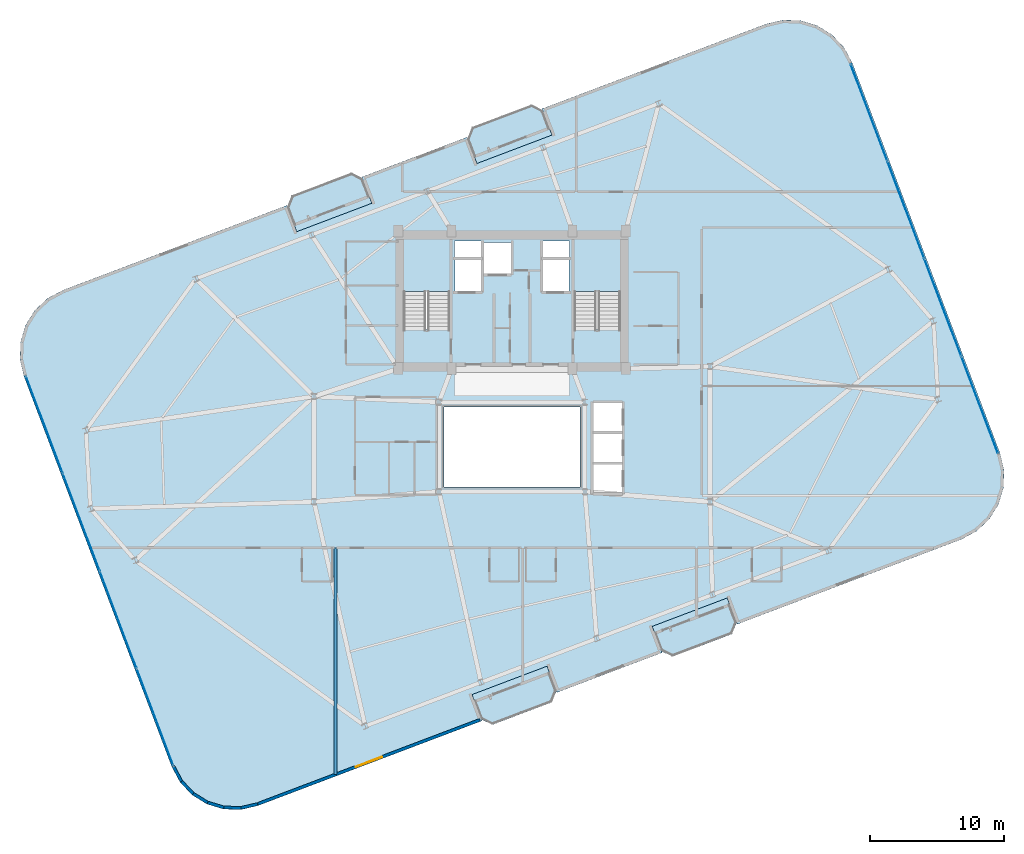
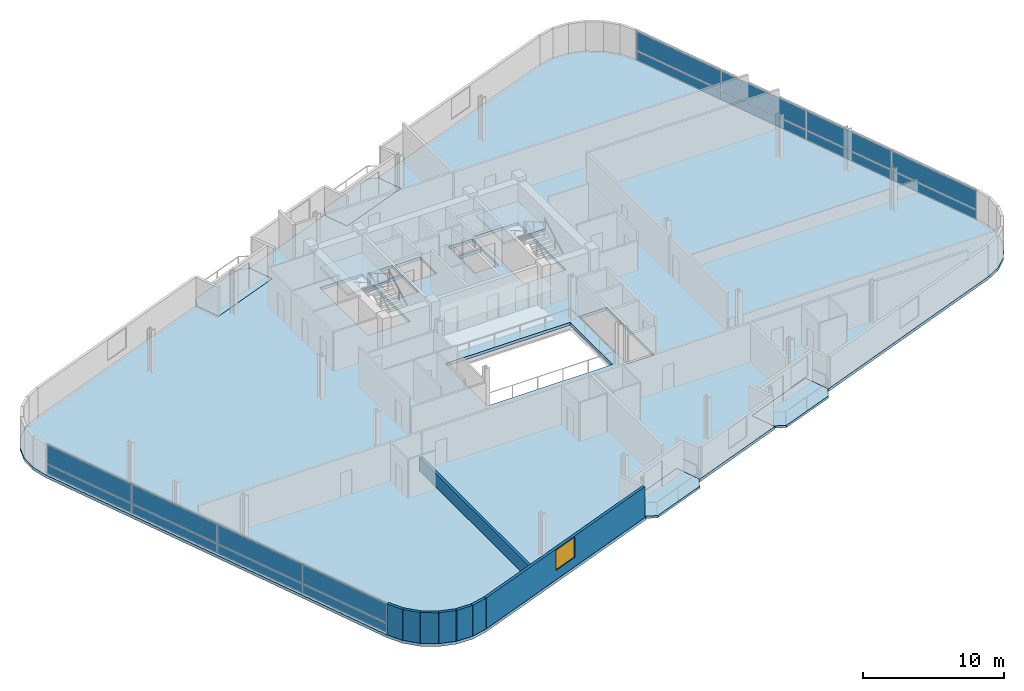
# One storey, part 13 of 19: 16 plates, 8 walls, 7 slabs, 1 window, 1 opening, 4 elements without a shape of their own.
"""IFC4 building model written with IfcOpenShell, lengths in metres."""

from ifc_helpers import new_model, si_unit, direction, frame, frame_2d, origin, origin_2d, place, context, subcontext, project, spatial, polyline, rectangle, outline, extrude, source, transform, mapped, material, layer, layer_set, type_object, element, fill, aggregate, save


model = new_model("IFC4")

# Units and contexts
model_context = context("Model", 3, precision=1e-05, world=origin(), true_north=direction((0.0, 1.0)))
body_context = subcontext(model_context, "Body", "Model", "MODEL_VIEW")
ifc_project = project(units=[si_unit("LENGTHUNIT", "METRE"), si_unit("AREAUNIT", "SQUARE_METRE"), si_unit("VOLUMEUNIT", "CUBIC_METRE"), si_unit("PLANEANGLEUNIT", "RADIAN"), si_unit("MASSUNIT", "GRAM", prefix="KILO")], contexts=[model_context])

# Site, building, storey
site_placement = place(None, origin())
site = spatial("IfcSite", under=ifc_project, at=site_placement, CompositionType="ELEMENT")
building_placement = place(site_placement, origin())
building = spatial("IfcBuilding", under=site, at=building_placement, Name="Varnelok Gate Tower", CompositionType="ELEMENT")
storey_placement = place(building_placement, frame((0.0, 0.0, 249.699951171875)))
storey = spatial("IfcBuildingStorey", under=building, at=storey_placement, Name="L64", CompositionType="ELEMENT", Elevation=249.699951171875)

# Slabs
ifc_material_1 = material(Name="Concrete C45/55", Category="concrete")
ifc_layer_1 = layer(ifc_material_1, 0.199951171875)
ifc_layer_set_1 = layer_set([ifc_layer_1], Name="Concrete C45/55")
slab_type_1 = type_object("IfcSlabType", Name="SLB-BALC-200", PredefinedType="FLOOR", material=ifc_layer_set_1)
slab_1_placement = place(storey_placement, frame((0.0, 0.0, -0.199951171875)))
element("IfcSlab", 1, at=slab_1_placement, inside=storey, type_object=slab_type_1, Name="L64 South Hollow Balcony 1", PredefinedType="FLOOR", context=body_context, shape_type="SweptSolid", body=[
    extrude(outline(polyline([(36.9189453125, 2.5166015625), (37.757080078125, 2.138916015625), (42.152587890625, 3.802978515625), (42.530517578125, 4.640869140625), (41.822265625, 6.51123046875), (36.2109375, 4.386962890625), (36.9189453125, 2.5166015625)])), origin(), (0.0, 0.0, 1.0), 0.199951171875),
])
slab_2_placement = place(storey_placement, frame((0.0, 0.0, -0.199951171875)))
element("IfcSlab", 2, at=slab_2_placement, inside=storey, type_object=slab_type_1, Name="L64 South Hollow Balcony 2", PredefinedType="FLOOR", context=body_context, shape_type="SweptSolid", body=[
    extrude(outline(polyline([(50.38623046875, 7.614990234375), (51.22412109375, 7.2373046875), (55.619873046875, 8.9013671875), (55.99755859375, 9.739501953125), (55.289306640625, 11.60986328125), (49.677978515625, 9.485595703125), (50.38623046875, 7.614990234375)])), origin(), (0.0, 0.0, 1.0), 0.199951171875),
])
slab_3_placement = place(storey_placement, frame((0.0, 0.0, -0.199951171875)))
element("IfcSlab", 3, at=slab_3_placement, inside=storey, type_object=slab_type_1, Name="L64 North Hollow Balcony 1", PredefinedType="FLOOR", context=body_context, shape_type="SweptSolid", body=[
    extrude(outline(polyline([(23.110595703125, 38.990234375), (28.721923828125, 41.114501953125), (28.013916015625, 42.985107421875), (27.17578125, 43.36279296875), (22.7802734375, 41.698486328125), (22.402587890625, 40.860595703125), (23.110595703125, 38.990234375)])), origin(), (0.0, 0.0, 1.0), 0.199951171875),
])
slab_4_placement = place(storey_placement, frame((0.0, 0.0, -0.199951171875)))
element("IfcSlab", 4, at=slab_4_placement, inside=storey, type_object=slab_type_1, Name="L64 North Hollow Balcony 2", PredefinedType="FLOOR", context=body_context, shape_type="SweptSolid", body=[
    extrude(outline(polyline([(36.577880859375, 44.088623046875), (42.189208984375, 46.212890625), (41.48095703125, 48.08349609375), (40.642822265625, 48.461181640625), (36.247314453125, 46.797119140625), (35.86962890625, 45.958984375), (36.577880859375, 44.088623046875)])), origin(), (0.0, 0.0, 1.0), 0.199951171875),
])

# Stair, slab
ifc_material_2 = material(Name="Concrete C50/60", Category="concrete")
stair_type = type_object("IfcStairType", Name="STR-CORE-1650", PredefinedType="HALF_TURN_STAIR", material=ifc_material_2)
stair_1_placement = place(storey_placement, origin())
stair_1 = element("IfcStair", 5, at=stair_1_placement, inside=storey, type_object=stair_type, Name="L64 Exit Stair ST-1", PredefinedType="HALF_TURN_STAIR")
ifc_layer_2 = layer(ifc_material_1, 0.199951171875)
ifc_layer_set_2 = layer_set([ifc_layer_2], Name="Concrete C45/55")
slab_type_2 = type_object("IfcSlabType", Name="SLB-LAND-200", PredefinedType="LANDING", material=ifc_layer_set_2)
slab_5_placement = place(storey_placement, frame((0.0, 0.0, 1.650146484375)))
slab_5 = element("IfcSlab", 6, at=slab_5_placement, type_object=slab_type_2, Name="ST-1 landing 1", PredefinedType="LANDING", context=body_context, shape_type="SweptSolid", body=[
    extrude(outline(polyline([(34.550048828125, 34.5), (34.550048828125, 38.449951171875), (31.10009765625, 38.449951171875), (31.10009765625, 34.5), (34.550048828125, 34.5)])), origin(), (0.0, 0.0, 1.0), 0.199951171875),
])
aggregate(stair_1, [slab_5])

stair_2_placement = place(storey_placement, origin())
stair_2 = element("IfcStair", 7, at=stair_2_placement, inside=storey, type_object=stair_type, Name="L64 Exit Stair ST-2", PredefinedType="HALF_TURN_STAIR")
slab_6_placement = place(storey_placement, frame((0.0, 0.0, 1.650146484375)))
slab_6 = element("IfcSlab", 8, at=slab_6_placement, type_object=slab_type_2, Name="ST-2 landing 1", PredefinedType="LANDING", context=body_context, shape_type="SweptSolid", body=[
    extrude(outline(polyline([(47.300048828125, 34.5), (47.300048828125, 38.449951171875), (43.85009765625, 38.449951171875), (43.85009765625, 34.5), (47.300048828125, 34.5)])), origin(), (0.0, 0.0, 1.0), 0.199951171875),
])
aggregate(stair_2, [slab_6])

# Slab
ifc_layer_3 = layer(ifc_material_2, 0.25)
ifc_layer_set_3 = layer_set([ifc_layer_3], Name="Concrete C50/60")
slab_type_3 = type_object("IfcSlabType", Name="SLB-TYP-250", PredefinedType="FLOOR", material=ifc_layer_set_3)
slab_7_placement = place(storey_placement, frame((0.0, 0.0, -0.25)))
element("IfcSlab", 9, at=slab_7_placement, inside=storey, type_object=slab_type_3, Name="L64 Structural Floor Slab", PredefinedType="FLOOR", context=body_context, shape_type="SweptSolid", body=[
    extrude(outline(polyline([(13.767578125, -1.0087890625), (14.385009765625, -2.158935546875), (15.279296875, -3.10986328125), (16.388916015625, -3.796875), (17.638671875, -4.17333984375), (18.943359375, -4.213623046875), (20.214111328125, -3.914794921875), (29.8779296875, -0.256103515625), (36.954345703125, 2.423095703125), (36.2109375, 4.386962890625), (41.822265625, 6.51123046875), (42.56591796875, 4.54736328125), (50.421630859375, 7.521484375), (49.677978515625, 9.485595703125), (55.289306640625, 11.60986328125), (56.032958984375, 9.64599609375), (63.109619140625, 12.324951171875), (72.7734375, 15.983642578125), (73.92333984375, 16.60107421875), (74.874267578125, 17.495361328125), (75.561279296875, 18.60498046875), (75.93798828125, 19.854736328125), (75.97802734375, 21.159423828125), (75.67919921875, 22.429931640625), (64.632568359375, 51.60888671875), (64.014892578125, 52.7587890625), (63.120849609375, 53.709716796875), (62.010986328125, 54.39697265625), (60.76123046875, 54.7734375), (59.45654296875, 54.813720703125), (58.18603515625, 54.5146484375), (48.522216796875, 50.856201171875), (41.445556640625, 48.177001953125), (42.189208984375, 46.212890625), (36.577880859375, 44.088623046875), (35.834228515625, 46.052490234375), (27.978515625, 43.07861328125), (28.721923828125, 41.114501953125), (23.110595703125, 38.990234375), (22.3671875, 40.9541015625), (15.29052734375, 38.275146484375), (5.626708984375, 34.616455078125), (4.4765625, 33.998779296875), (3.525634765625, 33.104736328125), (2.838623046875, 31.9951171875), (2.462158203125, 30.7451171875), (2.422119140625, 29.440673828125), (2.720703125, 28.169921875), (13.767578125, -1.0087890625)]), holes=[polyline([(34.550048828125, 31.679931640625), (34.550048828125, 38.449951171875), (31.10009765625, 38.449951171875), (31.10009765625, 31.679931640625), (34.550048828125, 31.679931640625)]), polyline([(47.300048828125, 31.679931640625), (47.300048828125, 38.449951171875), (43.85009765625, 38.449951171875), (43.85009765625, 31.679931640625), (47.300048828125, 31.679931640625)]), polyline([(34.949951171875, 34.550048828125), (36.89990234375, 34.550048828125), (36.89990234375, 36.89990234375), (34.949951171875, 36.89990234375), (34.949951171875, 34.550048828125)]), polyline([(41.5, 34.550048828125), (43.449951171875, 34.550048828125), (43.449951171875, 36.89990234375), (41.5, 36.89990234375), (41.5, 34.550048828125)]), polyline([(37.050048828125, 35.85009765625), (39.14990234375, 35.85009765625), (39.14990234375, 38.199951171875), (37.050048828125, 38.199951171875), (37.050048828125, 35.85009765625)]), polyline([(45.25, 19.449951171875), (47.449951171875, 19.449951171875), (47.449951171875, 26.199951171875), (45.25, 26.199951171875), (45.25, 19.449951171875)]), polyline([(34.919921875, 37.080078125), (36.89990234375, 37.080078125), (36.89990234375, 38.280029296875), (34.919921875, 38.280029296875), (34.919921875, 37.080078125)]), polyline([(41.5, 37.080078125), (43.47998046875, 37.080078125), (43.47998046875, 38.280029296875), (41.5, 38.280029296875), (41.5, 37.080078125)]), polyline([(34.10009765625, 19.89990234375), (44.300048828125, 19.89990234375), (44.300048828125, 25.89990234375), (34.10009765625, 25.89990234375), (34.10009765625, 19.89990234375)])]), origin(), (0.0, 0.0, 1.0), 0.25),
])

# Curtain wall, plates
ifc_material_3 = material(Name="Anodized Aluminum Alloy 6063-T6", Category="aluminium")
ifc_layer_4 = layer(ifc_material_3, 0.179931640625)
ifc_layer_set_4 = layer_set([ifc_layer_4], Name="Anodized Aluminum Alloy 6063-T6")
curtain_wall_type = type_object("IfcCurtainWallType", Name="CW4-RESIDENCE-VISION", PredefinedType="USERDEFINED", material=ifc_layer_set_4)
curtain_wall_1_placement = place(storey_placement, origin())
curtain_wall_1 = element("IfcCurtainWall", 10, at=curtain_wall_1_placement, inside=storey, type_object=curtain_wall_type, Name="L64 West End Vision Curtain Wall", ObjectType="UNITISED CURTAIN WALL", PredefinedType="USERDEFINED")
ifc_material_4 = material(Name="Low-E Laminated Double Glazing IGU", Category="glass")
ifc_layer_5 = layer(ifc_material_4, 0.035888671875)
ifc_layer_set_5 = layer_set([ifc_layer_5], Name="Low-E Laminated Double Glazing IGU")
plate_type = type_object("IfcPlateType", Name="CW-PNL-IGU36", PredefinedType="CURTAIN_PANEL", material=ifc_layer_set_5)
shared_shape_1 = source(origin(), body_context, "Body", "SweptSolid", [
    extrude(rectangle(XDim=7.6875, YDim=0.035888671875, at=origin_2d()), origin(), (0.0, 0.0, 1.0), 0.78759765625),
])
plate_1_placement = place(storey_placement, frame((12.510986328125, 2.70556640625, 0.074951171875), z_axis=(0.0, 0.0, 1.0), x_axis=(-0.354063042079, 0.935221557832, 0.0)))
plate_1 = element("IfcPlate", 11, at=plate_1_placement, type_object=plate_type, Name="CW4 panel 1.1", PredefinedType="CURTAIN_PANEL", context=body_context, shape_type="MappedRepresentation", body=[
    mapped(shared_shape_1, transform((0.0, 0.0, 0.0), scale=1.0)),
])
plate_2_placement = place(storey_placement, frame((4.2392578125, 24.5546875, 0.074951171875), z_axis=(0.0, 0.0, 1.0), x_axis=(-0.354063042079, 0.935221557832, 0.0)))
plate_2 = element("IfcPlate", 12, at=plate_2_placement, type_object=plate_type, Name="CW4 panel 4.1", PredefinedType="CURTAIN_PANEL", context=body_context, shape_type="MappedRepresentation", body=[
    mapped(shared_shape_1, transform((0.0, 0.0, 0.0), scale=1.0)),
])

curtain_wall_2_placement = place(storey_placement, origin())
curtain_wall_2 = element("IfcCurtainWall", 13, at=curtain_wall_2_placement, inside=storey, type_object=curtain_wall_type, Name="L64 East End Vision Curtain Wall", ObjectType="UNITISED CURTAIN WALL", PredefinedType="USERDEFINED")
plate_3_placement = place(storey_placement, frame((65.888916015625, 47.89453125, 0.074951171875), z_axis=(0.0, 0.0, 1.0), x_axis=(0.354063042079, -0.935221557832, 0.0)))
plate_3 = element("IfcPlate", 14, at=plate_3_placement, type_object=plate_type, Name="CW4 panel 1.1", PredefinedType="CURTAIN_PANEL", context=body_context, shape_type="MappedRepresentation", body=[
    mapped(shared_shape_1, transform((0.0, 0.0, 0.0), scale=1.0)),
])
plate_4_placement = place(storey_placement, frame((74.160888671875, 26.04541015625, 0.074951171875), z_axis=(0.0, 0.0, 1.0), x_axis=(0.354063042079, -0.935221557832, 0.0)))
plate_4 = element("IfcPlate", 15, at=plate_4_placement, type_object=plate_type, Name="CW4 panel 4.1", PredefinedType="CURTAIN_PANEL", context=body_context, shape_type="MappedRepresentation", body=[
    mapped(shared_shape_1, transform((0.0, 0.0, 0.0), scale=1.0)),
])

# Plate
shared_shape_2 = source(origin(), body_context, "Body", "SweptSolid", [
    extrude(rectangle(XDim=7.72509765625, YDim=0.035888671875, at=origin_2d()), origin(), (0.0, 0.0, 1.0), 0.78759765625),
])
plate_5_placement = place(storey_placement, frame((9.755859375, 9.982666015625, 0.074951171875), z_axis=(0.0, 0.0, 1.0), x_axis=(-0.354063042079, 0.935221557832, 0.0)))
plate_5 = element("IfcPlate", 16, at=plate_5_placement, type_object=plate_type, Name="CW4 panel 2.1", PredefinedType="CURTAIN_PANEL", context=body_context, shape_type="MappedRepresentation", body=[
    mapped(shared_shape_2, transform((0.0, 0.0, 0.0), scale=1.0)),
])

plate_6_placement = place(storey_placement, frame((6.994140625, 17.277587890625, 0.074951171875), z_axis=(0.0, 0.0, 1.0), x_axis=(-0.354063042079, 0.935221557832, 0.0)))
plate_6 = element("IfcPlate", 17, at=plate_6_placement, type_object=plate_type, Name="CW4 panel 3.1", PredefinedType="CURTAIN_PANEL", context=body_context, shape_type="MappedRepresentation", body=[
    mapped(shared_shape_2, transform((0.0, 0.0, 0.0), scale=1.0)),
])

plate_7_placement = place(storey_placement, frame((68.64404296875, 40.6171875, 0.074951171875), z_axis=(0.0, 0.0, 1.0), x_axis=(0.354063042079, -0.935221557832, 0.0)))
plate_7 = element("IfcPlate", 18, at=plate_7_placement, type_object=plate_type, Name="CW4 panel 2.1", PredefinedType="CURTAIN_PANEL", context=body_context, shape_type="MappedRepresentation", body=[
    mapped(shared_shape_2, transform((0.0, 0.0, 0.0), scale=1.0)),
])

plate_8_placement = place(storey_placement, frame((71.40576171875, 33.322509765625, 0.074951171875), z_axis=(0.0, 0.0, 1.0), x_axis=(0.354063042079, -0.935221557832, 0.0)))
plate_8 = element("IfcPlate", 19, at=plate_8_placement, type_object=plate_type, Name="CW4 panel 3.1", PredefinedType="CURTAIN_PANEL", context=body_context, shape_type="MappedRepresentation", body=[
    mapped(shared_shape_2, transform((0.0, 0.0, 0.0), scale=1.0)),
])

shared_shape_3 = source(origin(), body_context, "Body", "SweptSolid", [
    extrude(rectangle(XDim=7.6875, YDim=0.035888671875, at=origin_2d()), origin(), (0.0, 0.0, 1.0), 1.6474609375),
])
plate_9_placement = place(storey_placement, frame((12.510986328125, 2.70556640625, 0.9375), z_axis=(0.0, 0.0, 1.0), x_axis=(-0.354063042079, 0.935221557832, 0.0)))
plate_9 = element("IfcPlate", 20, at=plate_9_placement, type_object=plate_type, Name="CW4 panel 1.2", PredefinedType="CURTAIN_PANEL", context=body_context, shape_type="MappedRepresentation", body=[
    mapped(shared_shape_3, transform((0.0, 0.0, 0.0), scale=1.0)),
])

plate_10_placement = place(storey_placement, frame((4.2392578125, 24.5546875, 0.9375), z_axis=(0.0, 0.0, 1.0), x_axis=(-0.354063042079, 0.935221557832, 0.0)))
plate_10 = element("IfcPlate", 21, at=plate_10_placement, type_object=plate_type, Name="CW4 panel 4.2", PredefinedType="CURTAIN_PANEL", context=body_context, shape_type="MappedRepresentation", body=[
    mapped(shared_shape_3, transform((0.0, 0.0, 0.0), scale=1.0)),
])

plate_11_placement = place(storey_placement, frame((65.888916015625, 47.89453125, 0.9375), z_axis=(0.0, 0.0, 1.0), x_axis=(0.354063042079, -0.935221557832, 0.0)))
plate_11 = element("IfcPlate", 22, at=plate_11_placement, type_object=plate_type, Name="CW4 panel 1.2", PredefinedType="CURTAIN_PANEL", context=body_context, shape_type="MappedRepresentation", body=[
    mapped(shared_shape_3, transform((0.0, 0.0, 0.0), scale=1.0)),
])

plate_12_placement = place(storey_placement, frame((74.160888671875, 26.04541015625, 0.9375), z_axis=(0.0, 0.0, 1.0), x_axis=(0.354063042079, -0.935221557832, 0.0)))
plate_12 = element("IfcPlate", 23, at=plate_12_placement, type_object=plate_type, Name="CW4 panel 4.2", PredefinedType="CURTAIN_PANEL", context=body_context, shape_type="MappedRepresentation", body=[
    mapped(shared_shape_3, transform((0.0, 0.0, 0.0), scale=1.0)),
])

shared_shape_4 = source(origin(), body_context, "Body", "SweptSolid", [
    extrude(rectangle(XDim=7.72509765625, YDim=0.035888671875, at=origin_2d()), origin(), (0.0, 0.0, 1.0), 1.6474609375),
])
plate_13_placement = place(storey_placement, frame((9.755859375, 9.982666015625, 0.9375), z_axis=(0.0, 0.0, 1.0), x_axis=(-0.354063042079, 0.935221557832, 0.0)))
plate_13 = element("IfcPlate", 24, at=plate_13_placement, type_object=plate_type, Name="CW4 panel 2.2", PredefinedType="CURTAIN_PANEL", context=body_context, shape_type="MappedRepresentation", body=[
    mapped(shared_shape_4, transform((0.0, 0.0, 0.0), scale=1.0)),
])

plate_14_placement = place(storey_placement, frame((6.994140625, 17.277587890625, 0.9375), z_axis=(0.0, 0.0, 1.0), x_axis=(-0.354063042079, 0.935221557832, 0.0)))
plate_14 = element("IfcPlate", 25, at=plate_14_placement, type_object=plate_type, Name="CW4 panel 3.2", PredefinedType="CURTAIN_PANEL", context=body_context, shape_type="MappedRepresentation", body=[
    mapped(shared_shape_4, transform((0.0, 0.0, 0.0), scale=1.0)),
])

aggregate(curtain_wall_1, [plate_1, plate_9, plate_5, plate_13, plate_6, plate_14, plate_2, plate_10])

plate_15_placement = place(storey_placement, frame((68.64404296875, 40.6171875, 0.9375), z_axis=(0.0, 0.0, 1.0), x_axis=(0.354063042079, -0.935221557832, 0.0)))
plate_15 = element("IfcPlate", 26, at=plate_15_placement, type_object=plate_type, Name="CW4 panel 2.2", PredefinedType="CURTAIN_PANEL", context=body_context, shape_type="MappedRepresentation", body=[
    mapped(shared_shape_4, transform((0.0, 0.0, 0.0), scale=1.0)),
])

plate_16_placement = place(storey_placement, frame((71.40576171875, 33.322509765625, 0.9375), z_axis=(0.0, 0.0, 1.0), x_axis=(0.354063042079, -0.935221557832, 0.0)))
plate_16 = element("IfcPlate", 27, at=plate_16_placement, type_object=plate_type, Name="CW4 panel 3.2", PredefinedType="CURTAIN_PANEL", context=body_context, shape_type="MappedRepresentation", body=[
    mapped(shared_shape_4, transform((0.0, 0.0, 0.0), scale=1.0)),
])

aggregate(curtain_wall_2, [plate_3, plate_11, plate_7, plate_15, plate_8, plate_16, plate_4, plate_12])

# Walls
ifc_layer_6 = layer(ifc_material_1, 0.219970703125)
ifc_layer_set_6 = layer_set([ifc_layer_6], Name="Concrete C45/55")
wall_type_1 = type_object("IfcWallType", Name="EW-BALC-220", PredefinedType="SOLIDWALL", material=ifc_layer_set_6)
wall_1_placement = place(storey_placement, frame((13.880615234375, -0.966064453125, 0.0), z_axis=(0.0, 0.0, 1.0), x_axis=(0.473242342135, -0.88093228208, 0.0)))
element("IfcWall", 28, at=wall_1_placement, inside=storey, type_object=wall_type_1, Name="L64 Perimeter Facade Closure Wall 1", PredefinedType="SOLIDWALL", context=body_context, shape_type="SweptSolid", body=[
    extrude(rectangle(XDim=1.273681640625, YDim=0.219970703125, at=frame_2d((0.63671875, 0.0))), origin(), (0.0, 0.0, 1.0), 2.66015625),
])
for number, where, z_axis, x_axis, name in (
    (29, (14.50048828125, -2.1064453125, 0.0), (0.0, 0.0, 1.0), (0.684968140504, -0.728573020702, 0.0), "L64 Perimeter Facade Closure Wall 2"),
    (30, (15.377197265625, -3.029296875, 0.0), (0.0, 0.0, 1.0), (0.850231806078, -0.526408468713, 0.0), "L64 Perimeter Facade Closure Wall 3"),
    (31, (16.462646484375, -3.69384765625, 0.0), (0.0, 0.0, 1.0), (0.957508189204, -0.288406081086, 0.0), "L64 Perimeter Facade Closure Wall 4"),
):
    element("IfcWall", number, at=place(storey_placement, frame(where, z_axis=z_axis, x_axis=x_axis)), inside=storey, type_object=wall_type_1, Name=name, PredefinedType="SOLIDWALL", context=body_context, shape_type="SweptSolid", body=[
        extrude(rectangle(XDim=1.24853515625, YDim=0.219970703125, at=frame_2d((0.624267578125, 0.0))), origin(), (0.0, 0.0, 1.0), 2.66015625),
    ])
wall_2_placement = place(storey_placement, frame((17.68310546875, -4.0546875, 0.0), z_axis=(0.0, 0.0, 1.0), x_axis=(0.999522886512, -0.030886879732, 0.0)))
element("IfcWall", 32, at=wall_2_placement, inside=storey, type_object=wall_type_1, Name="L64 Perimeter Facade Closure Wall 5", PredefinedType="SOLIDWALL", context=body_context, shape_type="SweptSolid", body=[
    extrude(rectangle(XDim=1.248779296875, YDim=0.219970703125, at=frame_2d((0.62451171875, 0.0))), origin(), (0.0, 0.0, 1.0), 2.66015625),
])
wall_3_placement = place(storey_placement, frame((18.95556640625, -4.08740234375, 0.0), z_axis=(0.0, 0.0, 1.0), x_axis=(0.973463008152, 0.228844426981, 0.0)))
element("IfcWall", 33, at=wall_3_placement, inside=storey, type_object=wall_type_1, Name="L64 Perimeter Facade Closure Wall 6", PredefinedType="SOLIDWALL", context=body_context, shape_type="SweptSolid", body=[
    extrude(rectangle(XDim=1.2568359375, YDim=0.219970703125, at=frame_2d((0.62841796875, 0.0))), origin(), (0.0, 0.0, 1.0), 2.66015625),
])

# Wall, opening, window
wall_4_placement = place(storey_placement, frame((20.2021484375, -3.790771484375, 0.0), z_axis=(0.0, 0.0, 1.0), x_axis=(0.935225574232, 0.354052432984, 0.0)))
wall_4 = element("IfcWall", 34, at=wall_4_placement, inside=storey, type_object=wall_type_1, Name="L64 Perimeter Facade Closure Wall 7", PredefinedType="SOLIDWALL", context=body_context, shape_type="SweptSolid", body=[
    extrude(rectangle(XDim=17.747314453125, YDim=0.219970703125, at=frame_2d((8.87353515625, 0.0))), origin(), (0.0, 0.0, 1.0), 2.66015625),
])
opening_placement = place(wall_4_placement, frame((7.823486328125, 0.0, 0.800048828125)))
opening = element("IfcOpeningElement", 35, at=opening_placement, cuts=wall_4, Name="Opening WN4", PredefinedType="OPENING", context=body_context, shape_type="SweptSolid", body=[
    extrude(rectangle(XDim=2.10009765625, YDim=1.75, at=frame_2d((1.050048828125, 0.875))), frame((0.0, 0.119873046875, 0.0), z_axis=(0.0, -1.0, 0.0), x_axis=(1.0, 0.0, 0.0)), (0.0, 0.0, 1.0), 0.239990234375),
])
window_type = type_object("IfcWindowType", Name="WN-SUI-2100", PartitioningType="SINGLE_PANEL", PredefinedType="WINDOW", material=ifc_material_4)
window_placement = place(opening_placement, origin())
window = element("IfcWindow", 36, at=window_placement, inside=storey, type_object=window_type, Name="L64 Perimeter Vision Window 7", OverallHeight=1.75, OverallWidth=2.10009765625, PartitioningType="SINGLE_PANEL", PredefinedType="WINDOW", context=body_context, shape_type="SweptSolid", body=[
    extrude(rectangle(XDim=2.10009765625, YDim=1.75, at=frame_2d((1.050048828125, 0.875))), frame((0.0, 0.030029296875, 0.0), z_axis=(0.0, -1.0, 0.0), x_axis=(1.0, 0.0, 0.0)), (0.0, 0.0, 1.0), 0.06005859375),
])
fill(opening, window)

# Wall
ifc_material_5 = material(Name="Gypsum Plasterboard Acoustic Partition", Category="gypsum")
ifc_layer_7 = layer(ifc_material_5, 0.205078125)
ifc_layer_set_7 = layer_set([ifc_layer_7], Name="Gypsum Plasterboard Acoustic Partition")
wall_type_2 = type_object("IfcWallType", Name="PW-PARTY-200", PredefinedType="PARTITIONING", material=ifc_layer_set_7)
wall_5_placement = place(storey_placement, frame((26.0, -1.574462890625, 0.0), z_axis=(0.0, 0.0, 1.0), x_axis=(0.0, 1.0, 0.0)))
element("IfcWall", 37, at=wall_5_placement, inside=storey, type_object=wall_type_2, Name="L64 South Party Wall 1", PredefinedType="PARTITIONING", context=body_context, shape_type="SweptSolid", body=[
    extrude(rectangle(XDim=16.924560546875, YDim=0.205078125, at=frame_2d((8.46240234375, 0.0))), origin(), (0.0, 0.0, 1.0), 1.1650390625),
])

save(model, "model.ifc")
